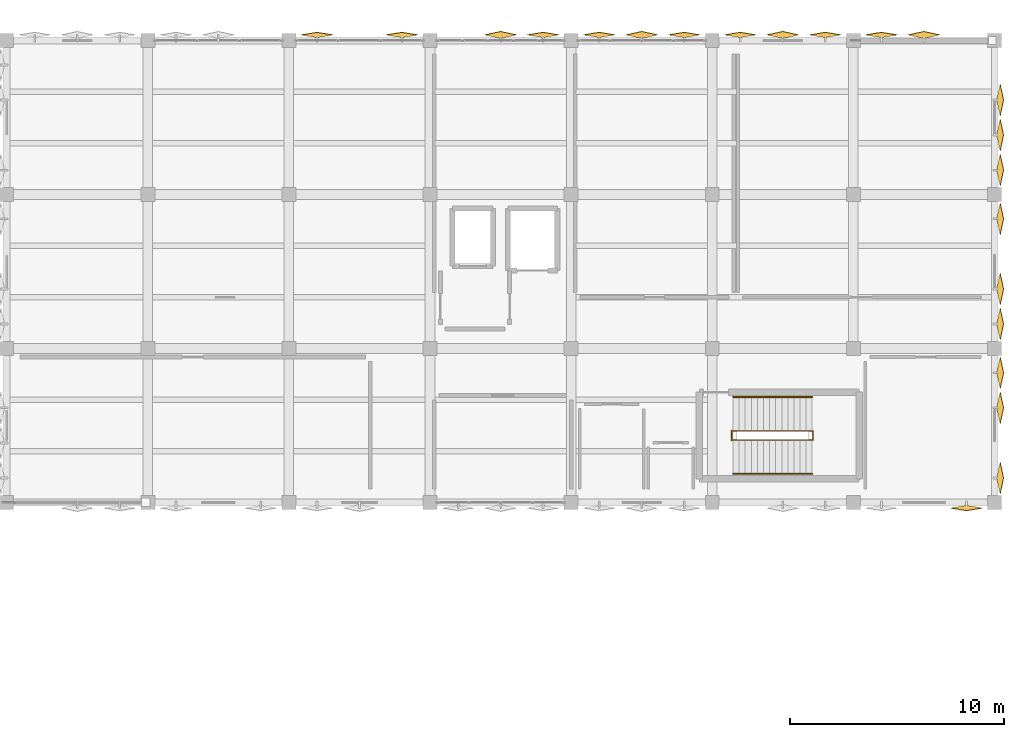
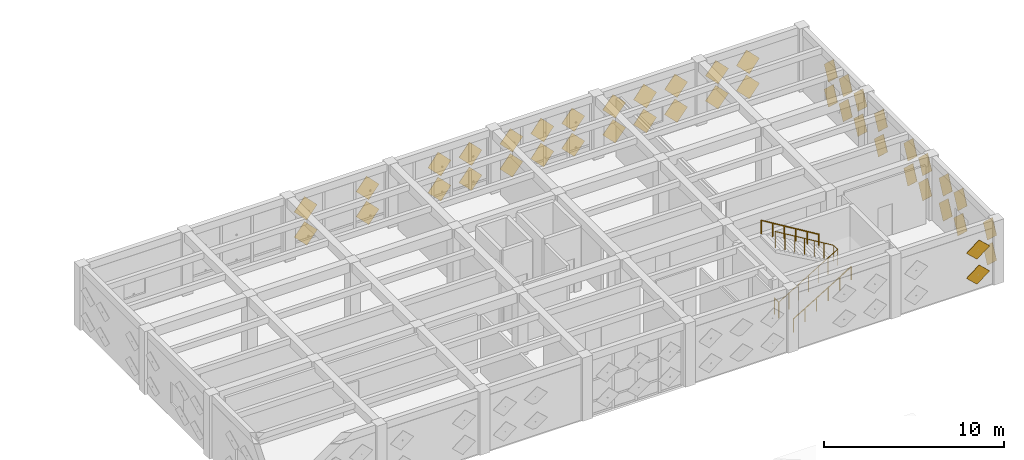
# One storey, part 48 of 48: 44 coverings, 4 railings.
"""IFC4 building model written with IfcOpenShell, lengths in metres."""

from ifc_helpers import new_model, si_unit, direction, frame, origin, origin_2d, place, context, subcontext, project, spatial, polyline, circle, outline, extrude, material, type_object, element, save


model = new_model("IFC4")

# Units and contexts
model_context = context("Model", 3, precision=1e-05, world=origin(), true_north=direction((0.0, 1.0)))
body_context = subcontext(model_context, "Body", "Model", "MODEL_VIEW")
ifc_project = project(units=[si_unit("LENGTHUNIT", "METRE"), si_unit("AREAUNIT", "SQUARE_METRE"), si_unit("VOLUMEUNIT", "CUBIC_METRE"), si_unit("PLANEANGLEUNIT", "RADIAN"), si_unit("MASSUNIT", "GRAM", prefix="KILO")], contexts=[model_context])

# Site, building, storey
site_placement = place(None, origin())
site = spatial("IfcSite", under=ifc_project, at=site_placement, CompositionType="ELEMENT")
building_placement = place(site_placement, origin())
building = spatial("IfcBuilding", under=site, at=building_placement, Name="Kharisveld Research Institute", CompositionType="ELEMENT")
storey_placement = place(building_placement, frame((0.0, 0.0, 14.10009765625)))
storey = spatial("IfcBuildingStorey", under=building, at=storey_placement, Name="L03", CompositionType="ELEMENT", Elevation=14.10009765625)

# Railings
ifc_material_1 = material(Name="Steel S355JR", Category="steel")
railing_type_1 = type_object("IfcRailingType", Name="RL_GRD_STR", PredefinedType="GUARDRAIL", material=ifc_material_1)
railing_1_placement = place(storey_placement, frame((148.570068359375, 42.110107421875, 0.0)))
element("IfcRailing", 1, at=railing_1_placement, inside=storey, type_object=railing_type_1, Name="RLG:ST3:L03:GRD_SLOT", PredefinedType="GUARDRAIL", context=body_context, shape_type="SweptSolid", body=[
    extrude(circle(Radius=0.02392578125, at=origin_2d()), frame((0.0, 0.0, 1.09619140625), z_axis=(0.857182128291, 0.0, 0.515013396853), x_axis=(0.0, 1.0, 0.0)), (0.0, 0.0, 1.0), 4.368896484375),
    extrude(circle(Radius=0.02392578125, at=origin_2d()), frame((3.744873046875, 0.0, 3.34619140625), z_axis=(0.0, 1.0, 0.0), x_axis=(-1.0, 0.0, 0.0)), (0.0, 0.0, 1.0), 0.43994140625),
    extrude(circle(Radius=0.02392578125, at=origin_2d()), frame((3.744873046875, 0.43994140625, 3.34619140625), z_axis=(-0.857182128291, 0.0, 0.515013396853), x_axis=(0.0, -1.0, 0.0)), (0.0, 0.0, 1.0), 4.368896484375),
    extrude(circle(Radius=0.02099609375, at=origin_2d()), origin(), (0.0, 0.0, 1.0), 1.072021484375),
    extrude(circle(Radius=0.02099609375, at=origin_2d()), frame((0.6240234375, 0.0, 0.375)), (0.0, 0.0, 1.0), 1.072021484375),
    extrude(circle(Radius=0.02099609375, at=origin_2d()), frame((1.248291015625, 0.0, 0.75)), (0.0, 0.0, 1.0), 1.072021484375),
    extrude(circle(Radius=0.02099609375, at=origin_2d()), frame((1.87255859375, 0.0, 1.125)), (0.0, 0.0, 1.0), 1.072021484375),
    extrude(circle(Radius=0.02099609375, at=origin_2d()), frame((2.49658203125, 0.0, 1.5)), (0.0, 0.0, 1.0), 1.072021484375),
    extrude(circle(Radius=0.02099609375, at=origin_2d()), frame((3.12060546875, 0.0, 1.875)), (0.0, 0.0, 1.0), 1.072021484375),
    extrude(circle(Radius=0.02099609375, at=origin_2d()), frame((3.744873046875, 0.0, 2.25)), (0.0, 0.0, 1.0), 1.072021484375),
    extrude(circle(Radius=0.02099609375, at=origin_2d()), frame((3.744873046875, 0.43994140625, 2.25)), (0.0, 0.0, 1.0), 1.072021484375),
    extrude(circle(Radius=0.02099609375, at=origin_2d()), frame((3.12060546875, 0.43994140625, 2.625)), (0.0, 0.0, 1.0), 1.072021484375),
    extrude(circle(Radius=0.02099609375, at=origin_2d()), frame((2.49658203125, 0.43994140625, 3.0)), (0.0, 0.0, 1.0), 1.072021484375),
    extrude(circle(Radius=0.02099609375, at=origin_2d()), frame((1.87255859375, 0.43994140625, 3.375)), (0.0, 0.0, 1.0), 1.072021484375),
    extrude(circle(Radius=0.02099609375, at=origin_2d()), frame((1.248291015625, 0.43994140625, 3.75)), (0.0, 0.0, 1.0), 1.072021484375),
    extrude(circle(Radius=0.02099609375, at=origin_2d()), frame((0.6240234375, 0.43994140625, 4.125)), (0.0, 0.0, 1.0), 1.072021484375),
    extrude(circle(Radius=0.02099609375, at=origin_2d()), frame((0.0, 0.43994140625, 4.5)), (0.0, 0.0, 1.0), 1.072021484375),
])
railing_2_placement = place(storey_placement, frame((148.510009765625, 42.110107421875, 0.0)))
element("IfcRailing", 2, at=railing_2_placement, inside=storey, type_object=railing_type_1, Name="RLG:ST3:L03:GRD_FLRSLOT", PredefinedType="GUARDRAIL", context=body_context, shape_type="SweptSolid", body=[
    extrude(circle(Radius=0.02392578125, at=origin_2d()), frame((0.0, 0.0, 1.09619140625), z_axis=(0.0, 1.0, 0.0), x_axis=(-1.0, 0.0, 0.0)), (0.0, 0.0, 1.0), 0.43994140625),
    extrude(circle(Radius=0.02099609375, at=origin_2d()), origin(), (0.0, 0.0, 1.0), 1.072021484375),
    extrude(circle(Radius=0.02099609375, at=origin_2d()), frame((0.0, 0.43994140625, 0.0)), (0.0, 0.0, 1.0), 1.072021484375),
])
ifc_material_2 = material(Name="Stainless Steel 316", Category="steel")
railing_type_2 = type_object("IfcRailingType", Name="RL_HND_STR", PredefinedType="HANDRAIL", material=ifc_material_2)
railing_3_placement = place(storey_placement, frame((148.570068359375, 40.530029296875, 0.0)))
element("IfcRailing", 3, at=railing_3_placement, inside=storey, type_object=railing_type_2, Name="RLG:ST3:L03:HR1", PredefinedType="HANDRAIL", context=body_context, shape_type="SweptSolid", body=[
    extrude(circle(Radius=0.02392578125, at=origin_2d()), frame((0.0, 0.0, 0.89599609375), z_axis=(0.854722365387, 0.0, 0.519085424673), x_axis=(0.0, 1.0, 0.0)), (0.0, 0.0, 1.0), 4.33447265625),
    extrude(circle(Radius=0.02099609375, at=origin_2d()), origin(), (0.0, 0.0, 1.0), 0.871826171875),
    extrude(circle(Radius=0.02099609375, at=origin_2d()), frame((0.740966796875, 0.0, 0.449951171875)), (0.0, 0.0, 1.0), 0.871826171875),
    extrude(circle(Radius=0.02099609375, at=origin_2d()), frame((1.48193359375, 0.0, 0.89990234375)), (0.0, 0.0, 1.0), 0.871826171875),
    extrude(circle(Radius=0.02099609375, at=origin_2d()), frame((2.222900390625, 0.0, 1.35009765625)), (0.0, 0.0, 1.0), 0.871826171875),
    extrude(circle(Radius=0.02099609375, at=origin_2d()), frame((2.9638671875, 0.0, 1.800048828125)), (0.0, 0.0, 1.0), 0.871826171875),
    extrude(circle(Radius=0.02099609375, at=origin_2d()), frame((3.704833984375, 0.0, 2.25)), (0.0, 0.0, 1.0), 0.871826171875),
])
railing_4_placement = place(storey_placement, frame((152.27490234375, 44.1298828125, 2.25)))
element("IfcRailing", 4, at=railing_4_placement, inside=storey, type_object=railing_type_2, Name="RLG:ST3:L03:HR2", PredefinedType="HANDRAIL", context=body_context, shape_type="SweptSolid", body=[
    extrude(circle(Radius=0.02392578125, at=origin_2d()), frame((0.0, 0.0, 0.89599609375), z_axis=(-0.854722365387, 0.0, 0.519085424673), x_axis=(0.0, -1.0, 0.0)), (0.0, 0.0, 1.0), 4.33447265625),
    extrude(circle(Radius=0.02099609375, at=origin_2d()), origin(), (0.0, 0.0, 1.0), 0.871826171875),
    extrude(circle(Radius=0.02099609375, at=origin_2d()), frame((-0.740966796875, 0.0, 0.449951171875)), (0.0, 0.0, 1.0), 0.871826171875),
    extrude(circle(Radius=0.02099609375, at=origin_2d()), frame((-1.48193359375, 0.0, 0.89990234375)), (0.0, 0.0, 1.0), 0.871826171875),
    extrude(circle(Radius=0.02099609375, at=origin_2d()), frame((-2.222900390625, 0.0, 1.35009765625)), (0.0, 0.0, 1.0), 0.871826171875),
    extrude(circle(Radius=0.02099609375, at=origin_2d()), frame((-2.9638671875, 0.0, 1.800048828125)), (0.0, 0.0, 1.0), 0.871826171875),
    extrude(circle(Radius=0.02099609375, at=origin_2d()), frame((-3.704833984375, 0.0, 2.25)), (0.0, 0.0, 1.0), 0.871826171875),
])

# Coverings
ifc_material_3 = material(Name="White Powder-Coated Perforated Aluminium", Category="aluminium")
covering_type = type_object("IfcCoveringType", Name="CV_DIA_105", PredefinedType="CLADDING")
covering_1_placement = place(storey_placement, frame((129.11328125, 60.9375, 0.317626953125), z_axis=(0.0, -0.986282612269, 0.165065468031), x_axis=(0.707138821552, 0.116713622787, 0.697375521014)))
element("IfcCovering", 5, at=covering_1_placement, inside=storey, type_object=covering_type, material=ifc_material_3, Name="SHD:V2:L03:N2:S0C0", PredefinedType="CLADDING", context=body_context, shape_type="SweptSolid", body=[
    extrude(outline(polyline([(0.0, 0.0), (1.049909321899567, 0.0), (1.0499844306250534, 1.0500795907141018), (-9.51489700736774e-05, 1.049909317588087), (0.0, 0.0)])), origin(), (0.0, 0.0, -1.0), 0.02392578125),
])
covering_2_placement = place(storey_placement, frame((129.11328125, 60.9375, 2.017578125), z_axis=(0.0, -0.986282612269, 0.165065468031), x_axis=(0.707024158255, 0.116732548384, 0.697488603341)))
element("IfcCovering", 6, at=covering_2_placement, inside=storey, type_object=covering_type, material=ifc_material_3, Name="SHD:V2:L03:N2:S0C1", PredefinedType="CLADDING", context=body_context, shape_type="SweptSolid", body=[
    extrude(outline(polyline([(0.0, 0.0), (1.0500795934002414, -1.1102230246251565e-16), (1.0501546899467695, 1.0499093192138629), (0.0002453818500782745, 1.0500795647299133), (0.0, 0.0)])), origin(), (0.0, 0.0, -1.0), 0.02392578125),
])
covering_3_placement = place(storey_placement, frame((133.086669921875, 60.9375, 0.317626953125), z_axis=(0.0, -0.986282612269, 0.165065468031), x_axis=(0.707138821552, 0.116713622787, 0.697375521014)))
element("IfcCovering", 7, at=covering_3_placement, inside=storey, type_object=covering_type, material=ifc_material_3, Name="SHD:V2:L03:N2:S2C0", PredefinedType="CLADDING", context=body_context, shape_type="SweptSolid", body=[
    extrude(outline(polyline([(0.0, 0.0), (1.049909321899567, 0.0), (1.0499844306250534, 1.0500795907141018), (-9.51489700736774e-05, 1.049909317588087), (0.0, 0.0)])), origin(), (0.0, 0.0, -1.0), 0.02392578125),
])
covering_4_placement = place(storey_placement, frame((133.086669921875, 60.9375, 2.017578125), z_axis=(0.0, -0.986282612269, 0.165065468031), x_axis=(0.707024158255, 0.116732548384, 0.697488603341)))
element("IfcCovering", 8, at=covering_4_placement, inside=storey, type_object=covering_type, material=ifc_material_3, Name="SHD:V2:L03:N2:S2C1", PredefinedType="CLADDING", context=body_context, shape_type="SweptSolid", body=[
    extrude(outline(polyline([(0.0, 0.0), (1.0500795934002414, -1.1102230246251565e-16), (1.0501546899467695, 1.0499093192138629), (0.0002453818500782745, 1.0500795647299133), (0.0, 0.0)])), origin(), (0.0, 0.0, -1.0), 0.02392578125),
])
for number, where, z_axis, x_axis, name in (
    (9, (137.699951171875, 60.8994140625, 0.324951171875), (0.0, -0.97631069788, 0.216373337556), (0.707102116981, 0.153000063457, 0.6903604687), "SHD:V2:L03:N3:S1C0"),
    (10, (137.699951171875, 60.8994140625, 2.025146484375), (0.0, -0.97631069788, 0.216373337556), (0.707102116981, 0.153000063457, 0.6903604687), "SHD:V2:L03:N3:S1C1"),
):
    element("IfcCovering", number, at=place(storey_placement, frame(where, z_axis=z_axis, x_axis=x_axis)), inside=storey, type_object=covering_type, material=ifc_material_3, Name=name, PredefinedType="CLADDING", context=body_context, shape_type="SweptSolid", body=[
        extrude(outline(polyline([(0.0, 0.0), (1.0499638210603182, 0.0), (1.0499776725217052, 1.0499638209689517), (1.3851461386993336e-05, 1.0499638209689517), (0.0, 0.0)])), origin(), (0.0, 0.0, -1.0), 0.02392578125),
    ])
covering_5_placement = place(storey_placement, frame((139.686767578125, 60.9375, 0.317626953125), z_axis=(0.0, -0.986282612269, 0.165065468031), x_axis=(0.707138821552, 0.116713622787, 0.697375521014)))
element("IfcCovering", 11, at=covering_5_placement, inside=storey, type_object=covering_type, material=ifc_material_3, Name="SHD:V2:L03:N3:S2C0", PredefinedType="CLADDING", context=body_context, shape_type="SweptSolid", body=[
    extrude(outline(polyline([(0.0, 0.0), (1.049909321899567, 0.0), (1.0499844306250534, 1.0500795907141018), (-0.0002677902839293145, 1.0500819432568782), (0.0, 0.0)])), origin(), (0.0, 0.0, -1.0), 0.02392578125),
])
covering_6_placement = place(storey_placement, frame((139.686767578125, 60.9375, 2.017578125), z_axis=(0.0, -0.986282612269, 0.165065468031), x_axis=(0.707024158255, 0.116732548384, 0.697488603341)))
element("IfcCovering", 12, at=covering_6_placement, inside=storey, type_object=covering_type, material=ifc_material_3, Name="SHD:V2:L03:N3:S2C1", PredefinedType="CLADDING", context=body_context, shape_type="SweptSolid", body=[
    extrude(outline(polyline([(0.0, 0.0), (1.0500795934002414, -1.1102230246251565e-16), (1.0501546899467695, 1.0499093192138629), (7.276853019166918e-05, 1.050252218390671), (0.0, 0.0)])), origin(), (0.0, 0.0, -1.0), 0.02392578125),
])
covering_7_placement = place(storey_placement, frame((142.313232421875, 60.9375, 0.317626953125), z_axis=(0.0, -0.986282612269, 0.165065468031), x_axis=(0.707255049827, 0.116694432619, 0.69726085785)))
element("IfcCovering", 13, at=covering_7_placement, inside=storey, type_object=covering_type, material=ifc_material_3, Name="SHD:V2:L03:N4:S0C0", PredefinedType="CLADDING", context=body_context, shape_type="SweptSolid", body=[
    extrude(outline(polyline([(0.0, 0.0), (1.0500819774026109, 1.1102230246251565e-16), (1.0498117911607456, 1.050252186157772), (-0.00026774625358971793, 1.0499092877594485), (0.0, 0.0)])), origin(), (0.0, 0.0, -1.0), 0.02392578125),
])
covering_8_placement = place(storey_placement, frame((142.313232421875, 60.9375, 2.017578125), z_axis=(0.0, -0.986282612269, 0.165065468031), x_axis=(0.707140405383, 0.116713361327, 0.697373958764)))
element("IfcCovering", 14, at=covering_8_placement, inside=storey, type_object=covering_type, material=ifc_material_3, Name="SHD:V2:L03:N4:S0C1", PredefinedType="CLADDING", context=body_context, shape_type="SweptSolid", body=[
    extrude(outline(polyline([(0.0, 0.0), (1.0502522209116176, -1.1102230246251565e-16), (1.049982078466331, 1.0500819426543992), (7.275656939786934e-05, 1.0500795908797094), (0.0, 0.0)])), origin(), (0.0, 0.0, -1.0), 0.02392578125),
])
for number, where, z_axis, x_axis, name in (
    (15, (144.300048828125, 60.8994140625, 0.324951171875), (0.0, -0.97631069788, 0.216373337556), (0.707102116981, 0.153000063457, 0.6903604687), "SHD:V2:L03:N4:S1C0"),
    (16, (144.300048828125, 60.8994140625, 2.025146484375), (0.0, -0.97631069788, 0.216373337556), (0.707102116981, 0.153000063457, 0.6903604687), "SHD:V2:L03:N4:S1C1"),
):
    element("IfcCovering", number, at=place(storey_placement, frame(where, z_axis=z_axis, x_axis=x_axis)), inside=storey, type_object=covering_type, material=ifc_material_3, Name=name, PredefinedType="CLADDING", context=body_context, shape_type="SweptSolid", body=[
        extrude(outline(polyline([(0.0, 0.0), (1.0499638210603182, 0.0), (1.0499776725217052, 1.0499638209689517), (1.3851461386993336e-05, 1.0499638209689517), (0.0, 0.0)])), origin(), (0.0, 0.0, -1.0), 0.02392578125),
    ])
covering_9_placement = place(storey_placement, frame((146.28662109375, 60.9375, 0.317626953125), z_axis=(0.0, -0.986282612269, 0.165065468031), x_axis=(0.707138821552, 0.116713622787, 0.697375521014)))
element("IfcCovering", 17, at=covering_9_placement, inside=storey, type_object=covering_type, material=ifc_material_3, Name="SHD:V2:L03:N4:S2C0", PredefinedType="CLADDING", context=body_context, shape_type="SweptSolid", body=[
    extrude(outline(polyline([(0.0, 0.0), (1.049909321899567, 0.0), (1.0499844306250534, 1.0500795907141018), (-9.51489700736774e-05, 1.049909317588087), (0.0, 0.0)])), origin(), (0.0, 0.0, -1.0), 0.02392578125),
])
covering_10_placement = place(storey_placement, frame((146.28662109375, 60.9375, 2.017578125), z_axis=(0.0, -0.986282612269, 0.165065468031), x_axis=(0.707024158255, 0.116732548384, 0.697488603341)))
element("IfcCovering", 18, at=covering_10_placement, inside=storey, type_object=covering_type, material=ifc_material_3, Name="SHD:V2:L03:N4:S2C1", PredefinedType="CLADDING", context=body_context, shape_type="SweptSolid", body=[
    extrude(outline(polyline([(0.0, 0.0), (1.0500795934002414, -1.1102230246251565e-16), (1.0501546899467695, 1.0499093192138629), (0.0002453818500782745, 1.0500795647299133), (0.0, 0.0)])), origin(), (0.0, 0.0, -1.0), 0.02392578125),
])
covering_11_placement = place(storey_placement, frame((148.913330078125, 60.9375, 0.317626953125), z_axis=(0.0, -0.986282612269, 0.165065468031), x_axis=(0.707138821552, 0.116713622787, 0.697375521014)))
element("IfcCovering", 19, at=covering_11_placement, inside=storey, type_object=covering_type, material=ifc_material_3, Name="SHD:V2:L03:N5:S0C0", PredefinedType="CLADDING", context=body_context, shape_type="SweptSolid", body=[
    extrude(outline(polyline([(0.0, 0.0), (1.049909321899567, 0.0), (1.0499844306250534, 1.0500795907141018), (-9.51489700736774e-05, 1.049909317588087), (0.0, 0.0)])), origin(), (0.0, 0.0, -1.0), 0.02392578125),
])
covering_12_placement = place(storey_placement, frame((148.913330078125, 60.9375, 2.017578125), z_axis=(0.0, -0.986282612269, 0.165065468031), x_axis=(0.707024158255, 0.116732548384, 0.697488603341)))
element("IfcCovering", 20, at=covering_12_placement, inside=storey, type_object=covering_type, material=ifc_material_3, Name="SHD:V2:L03:N5:S0C1", PredefinedType="CLADDING", context=body_context, shape_type="SweptSolid", body=[
    extrude(outline(polyline([(0.0, 0.0), (1.0500795934002414, -1.1102230246251565e-16), (1.0501546899467695, 1.0499093192138629), (0.0002453818500782745, 1.0500795647299133), (0.0, 0.0)])), origin(), (0.0, 0.0, -1.0), 0.02392578125),
])
for number, where, z_axis, x_axis, name in (
    (21, (150.89990234375, 60.8994140625, 0.324951171875), (0.0, -0.97631069788, 0.216373337556), (0.707218351292, 0.152974909648, 0.690246970738), "SHD:V2:L03:N5:S1C0"),
    (22, (150.89990234375, 60.8994140625, 2.025146484375), (0.0, -0.97631069788, 0.216373337556), (0.707218351292, 0.152974909648, 0.690246970738), "SHD:V2:L03:N5:S1C1"),
):
    element("IfcCovering", number, at=place(storey_placement, frame(where, z_axis=z_axis, x_axis=x_axis)), inside=storey, type_object=covering_type, material=ifc_material_3, Name=name, PredefinedType="CLADDING", context=body_context, shape_type="SweptSolid", body=[
        extrude(outline(polyline([(0.0, 0.0), (1.0501364676030216, 1.1102230246251565e-16), (1.0498050520855338, 1.0501364153068435), (-0.00015875478719196146, 1.0499638090584367), (0.0, 0.0)])), origin(), (0.0, 0.0, -1.0), 0.02392578125),
    ])
covering_13_placement = place(storey_placement, frame((152.88671875, 60.9375, 0.317626953125), z_axis=(0.0, -0.986282612269, 0.165065468031), x_axis=(0.707138821552, 0.116713622787, 0.697375521014)))
element("IfcCovering", 23, at=covering_13_placement, inside=storey, type_object=covering_type, material=ifc_material_3, Name="SHD:V2:L03:N5:S2C0", PredefinedType="CLADDING", context=body_context, shape_type="SweptSolid", body=[
    extrude(outline(polyline([(0.0, 0.0), (1.049909321899567, 0.0), (1.0499844306250534, 1.0500795907141018), (-9.51489700736774e-05, 1.049909317588087), (0.0, 0.0)])), origin(), (0.0, 0.0, -1.0), 0.02392578125),
])
covering_14_placement = place(storey_placement, frame((152.88671875, 60.9375, 2.017578125), z_axis=(0.0, -0.986282612269, 0.165065468031), x_axis=(0.707024158255, 0.116732548384, 0.697488603341)))
element("IfcCovering", 24, at=covering_14_placement, inside=storey, type_object=covering_type, material=ifc_material_3, Name="SHD:V2:L03:N5:S2C1", PredefinedType="CLADDING", context=body_context, shape_type="SweptSolid", body=[
    extrude(outline(polyline([(0.0, 0.0), (1.0500795934002414, -1.1102230246251565e-16), (1.0501546899467695, 1.0499093192138629), (0.0002453818500782745, 1.0500795647299133), (0.0, 0.0)])), origin(), (0.0, 0.0, -1.0), 0.02392578125),
])
covering_15_placement = place(storey_placement, frame((155.513427734375, 60.9375, 0.317626953125), z_axis=(0.0, -0.986282612269, 0.165065468031), x_axis=(0.707138821552, 0.116713622787, 0.697375521014)))
element("IfcCovering", 25, at=covering_15_placement, inside=storey, type_object=covering_type, material=ifc_material_3, Name="SHD:V2:L03:N6:S0C0", PredefinedType="CLADDING", context=body_context, shape_type="SweptSolid", body=[
    extrude(outline(polyline([(0.0, 0.0), (1.049909321899567, 0.0), (1.0499844306250534, 1.0500795907141018), (-0.0002677902839293145, 1.0500819432568782), (0.0, 0.0)])), origin(), (0.0, 0.0, -1.0), 0.02392578125),
])
covering_16_placement = place(storey_placement, frame((155.513427734375, 60.9375, 2.017578125), z_axis=(0.0, -0.986282612269, 0.165065468031), x_axis=(0.707024158255, 0.116732548384, 0.697488603341)))
element("IfcCovering", 26, at=covering_16_placement, inside=storey, type_object=covering_type, material=ifc_material_3, Name="SHD:V2:L03:N6:S0C1", PredefinedType="CLADDING", context=body_context, shape_type="SweptSolid", body=[
    extrude(outline(polyline([(0.0, 0.0), (1.0500795934002414, -1.1102230246251565e-16), (1.0501546899467695, 1.0499093192138629), (7.276853019166918e-05, 1.050252218390671), (0.0, 0.0)])), origin(), (0.0, 0.0, -1.0), 0.02392578125),
])
for number, where, z_axis, x_axis, name in (
    (27, (157.5, 60.8994140625, 0.324951171875), (0.0, -0.97631069788, 0.216373337556), (0.707102116981, 0.153000063457, 0.6903604687), "SHD:V2:L03:N6:S1C0"),
    (28, (157.5, 60.8994140625, 2.025146484375), (0.0, -0.97631069788, 0.216373337556), (0.707102116981, 0.153000063457, 0.6903604687), "SHD:V2:L03:N6:S1C1"),
    (29, (160.8994140625, 58.02001953125, 0.324951171875), (-0.97631069788, 0.0, 0.216373337556), (0.153000063457, -0.707102116981, 0.6903604687), "SHD:V2:L03:E3:S1C0"),
    (30, (160.8994140625, 58.02001953125, 2.025146484375), (-0.97631069788, 0.0, 0.216373337556), (0.153000063457, -0.707102116981, 0.6903604687), "SHD:V2:L03:E3:S1C1"),
):
    element("IfcCovering", number, at=place(storey_placement, frame(where, z_axis=z_axis, x_axis=x_axis)), inside=storey, type_object=covering_type, material=ifc_material_3, Name=name, PredefinedType="CLADDING", context=body_context, shape_type="SweptSolid", body=[
        extrude(outline(polyline([(0.0, 0.0), (1.0499638210603182, 0.0), (1.0499776725217052, 1.0499638209689517), (1.3851461386993336e-05, 1.0499638209689517), (0.0, 0.0)])), origin(), (0.0, 0.0, -1.0), 0.02392578125),
    ])
for number, where, z_axis, x_axis, name in (
    (31, (160.8994140625, 56.3798828125, 0.324951171875), (-0.97631069788, 0.0, 0.216373337556), (0.153000063457, -0.707102116981, 0.6903604687), "SHD:V2:L03:E3:S2C0"),
    (32, (160.8994140625, 56.3798828125, 2.025146484375), (-0.97631069788, 0.0, 0.216373337556), (0.153000063457, -0.707102116981, 0.6903604687), "SHD:V2:L03:E3:S2C1"),
):
    element("IfcCovering", number, at=place(storey_placement, frame(where, z_axis=z_axis, x_axis=x_axis)), inside=storey, type_object=covering_type, material=ifc_material_3, Name=name, PredefinedType="CLADDING", context=body_context, shape_type="SweptSolid", body=[
        extrude(outline(polyline([(0.0, 0.0), (1.0499638210603182, 0.0), (1.0499776725217052, 1.0499638209689517), (-0.00015878089139154117, 1.050136455599167), (0.0, 0.0)])), origin(), (0.0, 0.0, -1.0), 0.02392578125),
    ])
for number, where, z_axis, x_axis, name in (
    (33, (160.8994140625, 54.739990234375, 0.324951171875), (-0.97631069788, 0.0, 0.216373337556), (0.153000063457, -0.707102116981, 0.6903604687), "SHD:V2:L03:E3:S3C0"),
    (34, (160.8994140625, 54.739990234375, 2.025146484375), (-0.97631069788, 0.0, 0.216373337556), (0.153000063457, -0.707102116981, 0.6903604687), "SHD:V2:L03:E3:S3C1"),
    (35, (160.8994140625, 52.4599609375, 0.324951171875), (-0.97631069788, 0.0, 0.216373337556), (0.153000063457, -0.707102116981, 0.6903604687), "SHD:V2:L03:E2:S0C0"),
    (36, (160.8994140625, 52.4599609375, 2.025146484375), (-0.97631069788, 0.0, 0.216373337556), (0.153000063457, -0.707102116981, 0.6903604687), "SHD:V2:L03:E2:S0C1"),
    (37, (160.8994140625, 49.179931640625, 0.324951171875), (-0.97631069788, 0.0, 0.216373337556), (0.153000063457, -0.707102116981, 0.6903604687), "SHD:V2:L03:E2:S2C0"),
    (38, (160.8994140625, 49.179931640625, 2.025146484375), (-0.97631069788, 0.0, 0.216373337556), (0.153000063457, -0.707102116981, 0.6903604687), "SHD:V2:L03:E2:S2C1"),
    (39, (160.8994140625, 47.5400390625, 0.324951171875), (-0.97631069788, 0.0, 0.216373337556), (0.153000063457, -0.707102116981, 0.6903604687), "SHD:V2:L03:E2:S3C0"),
    (40, (160.8994140625, 47.5400390625, 2.025146484375), (-0.97631069788, 0.0, 0.216373337556), (0.153000063457, -0.707102116981, 0.6903604687), "SHD:V2:L03:E2:S3C1"),
    (41, (160.8994140625, 45.260009765625, 0.324951171875), (-0.97631069788, 0.0, 0.216373337556), (0.153000063457, -0.707102116981, 0.6903604687), "SHD:V2:L03:E1:S0C0"),
    (42, (160.8994140625, 45.260009765625, 2.025146484375), (-0.97631069788, 0.0, 0.216373337556), (0.153000063457, -0.707102116981, 0.6903604687), "SHD:V2:L03:E1:S0C1"),
):
    element("IfcCovering", number, at=place(storey_placement, frame(where, z_axis=z_axis, x_axis=x_axis)), inside=storey, type_object=covering_type, material=ifc_material_3, Name=name, PredefinedType="CLADDING", context=body_context, shape_type="SweptSolid", body=[
        extrude(outline(polyline([(0.0, 0.0), (1.0499638210603182, 0.0), (1.0499776725217052, 1.0499638209689517), (1.3851461386993336e-05, 1.0499638209689517), (0.0, 0.0)])), origin(), (0.0, 0.0, -1.0), 0.02392578125),
    ])
for number, where, z_axis, x_axis, name in (
    (43, (160.8994140625, 43.6201171875, 0.324951171875), (-0.97631069788, 0.0, 0.216373337556), (0.152974909648, -0.707218351292, 0.690246970738), "SHD:V2:L03:E1:S1C0"),
    (44, (160.8994140625, 43.6201171875, 2.025146484375), (-0.97631069788, 0.0, 0.216373337556), (0.152974909648, -0.707218351292, 0.690246970738), "SHD:V2:L03:E1:S1C1"),
):
    element("IfcCovering", number, at=place(storey_placement, frame(where, z_axis=z_axis, x_axis=x_axis)), inside=storey, type_object=covering_type, material=ifc_material_3, Name=name, PredefinedType="CLADDING", context=body_context, shape_type="SweptSolid", body=[
        extrude(outline(polyline([(0.0, 0.0), (1.0501364676030216, 1.1102230246251565e-16), (1.0498050520855338, 1.0501364153068435), (-0.00015875478719196146, 1.0499638090584367), (0.0, 0.0)])), origin(), (0.0, 0.0, -1.0), 0.02392578125),
    ])
for number, where, z_axis, x_axis, name in (
    (45, (160.8994140625, 40.340087890625, 0.324951171875), (-0.97631069788, 0.0, 0.216373337556), (0.153000063457, -0.707102116981, 0.6903604687), "SHD:V2:L03:E1:S3C0"),
    (46, (160.8994140625, 40.340087890625, 2.025146484375), (-0.97631069788, 0.0, 0.216373337556), (0.153000063457, -0.707102116981, 0.6903604687), "SHD:V2:L03:E1:S3C1"),
):
    element("IfcCovering", number, at=place(storey_placement, frame(where, z_axis=z_axis, x_axis=x_axis)), inside=storey, type_object=covering_type, material=ifc_material_3, Name=name, PredefinedType="CLADDING", context=body_context, shape_type="SweptSolid", body=[
        extrude(outline(polyline([(0.0, 0.0), (1.0499638210603182, 0.0), (1.0499776725217052, 1.0499638209689517), (1.3851461386993336e-05, 1.0499638209689517), (0.0, 0.0)])), origin(), (0.0, 0.0, -1.0), 0.02392578125),
    ])
covering_17_placement = place(storey_placement, frame((159.486572265625, 39.0625, 0.317626953125), z_axis=(0.0, 0.986282612269, 0.165065468031), x_axis=(-0.707138821552, -0.116713622787, 0.697375521014)))
element("IfcCovering", 47, at=covering_17_placement, inside=storey, type_object=covering_type, material=ifc_material_3, Name="SHD:V2:L03:S7:S0C0", PredefinedType="CLADDING", context=body_context, shape_type="SweptSolid", body=[
    extrude(outline(polyline([(0.0, 0.0), (1.049909321899567, 0.0), (1.0499844306250534, 1.0500795907141018), (-0.0002677902839293145, 1.0500819432568782), (0.0, 0.0)])), origin(), (0.0, 0.0, -1.0), 0.02392578125),
])
covering_18_placement = place(storey_placement, frame((159.486572265625, 39.0625, 2.017578125), z_axis=(0.0, 0.986282612269, 0.165065468031), x_axis=(-0.707024158255, -0.116732548384, 0.697488603341)))
element("IfcCovering", 48, at=covering_18_placement, inside=storey, type_object=covering_type, material=ifc_material_3, Name="SHD:V2:L03:S7:S0C1", PredefinedType="CLADDING", context=body_context, shape_type="SweptSolid", body=[
    extrude(outline(polyline([(0.0, 0.0), (1.0500795934002414, -1.1102230246251565e-16), (1.0501546899467695, 1.0499093192138629), (7.276853019166918e-05, 1.050252218390671), (0.0, 0.0)])), origin(), (0.0, 0.0, -1.0), 0.02392578125),
])

save(model, "model.ifc")
